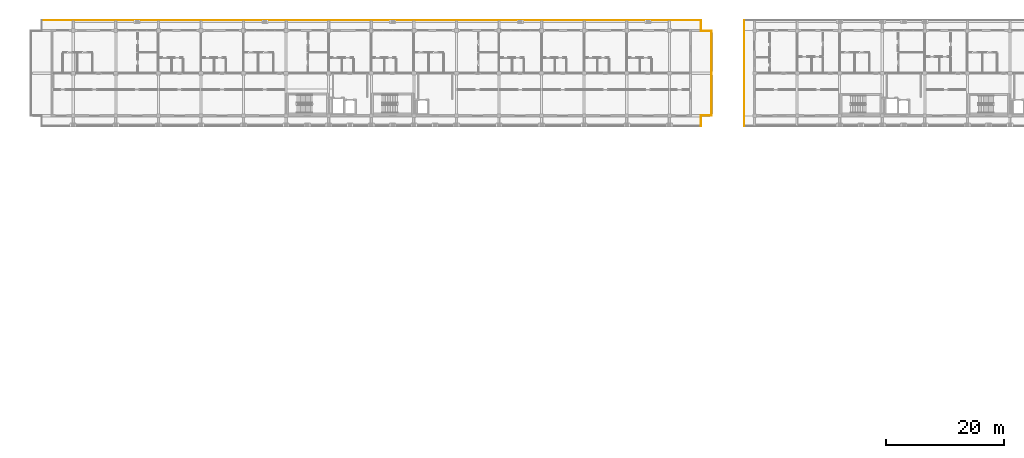
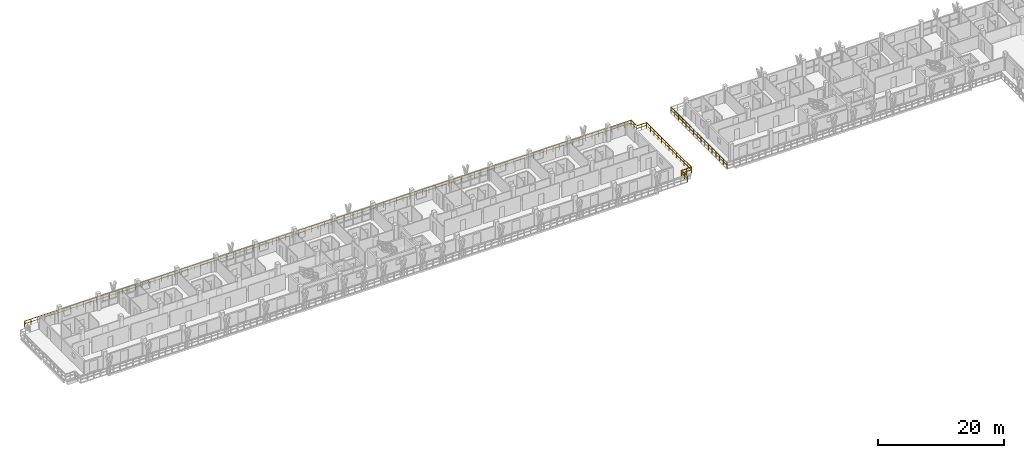
# One storey, part 68 of 75: 7 railings.
"""IFC4 building model written with IfcOpenShell, lengths in metres."""

from ifc_helpers import new_model, si_unit, direction, frame, origin, origin_2d, place, context, subcontext, project, spatial, rectangle, extrude, material, type_object, element, save


model = new_model("IFC4")

# Units and contexts
model_context = context("Model", 3, precision=1e-05, world=origin(), true_north=direction((0.0, 1.0)))
body_context = subcontext(model_context, "Body", "Model", "MODEL_VIEW")
ifc_project = project(units=[si_unit("LENGTHUNIT", "METRE"), si_unit("AREAUNIT", "SQUARE_METRE"), si_unit("VOLUMEUNIT", "CUBIC_METRE"), si_unit("PLANEANGLEUNIT", "RADIAN"), si_unit("MASSUNIT", "GRAM", prefix="KILO")], contexts=[model_context])

# Site, building, storey
site_placement = place(None, origin())
site = spatial("IfcSite", under=ifc_project, at=site_placement, CompositionType="ELEMENT")
building_placement = place(site_placement, origin())
building = spatial("IfcBuilding", under=site, at=building_placement, Name="Suanplinth Sawtooth Commons", CompositionType="ELEMENT")
storey_placement = place(building_placement, frame((0.0, 0.0, 18.60009765625)))
storey = spatial("IfcBuildingStorey", under=building, at=storey_placement, Name="L05", CompositionType="ELEMENT", Elevation=18.60009765625)

# Railings
ifc_material = material(Name="Powder-coated galvanized steel", Category="steel")
railing_type = type_object("IfcRailingType", Name="GR-01", PredefinedType="BALUSTRADE", material=ifc_material)
railing_1_placement = place(storey_placement, frame((1.860107421875, 124.139892578125, 0.0)))
element("IfcRailing", 1, at=railing_1_placement, inside=storey, type_object=railing_type, Name="L05 Block A Perimeter Balustrade 5", PredefinedType="BALUSTRADE", context=body_context, shape_type="SweptSolid", body=[
    extrude(rectangle(XDim=0.048095703125, YDim=0.048095703125, at=origin_2d()), frame((0.0, 0.0, 1.09619140625), z_axis=(1.0, 0.0, 0.0), x_axis=(0.0, 1.0, 0.0)), (0.0, 0.0, 1.0), 111.47998046875),
    extrude(rectangle(XDim=0.03369140625, YDim=0.03369140625, at=origin_2d()), frame((0.0, 0.0, 0.56005859375), z_axis=(1.0, 0.0, 0.0), x_axis=(0.0, 1.0, 0.0)), (0.0, 0.0, 1.0), 111.47998046875),
    extrude(rectangle(XDim=0.0419921875, YDim=0.0419921875, at=origin_2d()), origin(), (0.0, 0.0, 1.0), 1.072021484375),
    extrude(rectangle(XDim=0.0419921875, YDim=0.0419921875, at=origin_2d()), frame((1.19873046875, 0.0, 0.0)), (0.0, 0.0, 1.0), 1.072021484375),
    extrude(rectangle(XDim=0.0419921875, YDim=0.0419921875, at=origin_2d()), frame((2.3974609375, 0.0, 0.0)), (0.0, 0.0, 1.0), 1.072021484375),
    extrude(rectangle(XDim=0.0419921875, YDim=0.0419921875, at=origin_2d()), frame((3.59619140625, 0.0, 0.0)), (0.0, 0.0, 1.0), 1.072021484375),
    extrude(rectangle(XDim=0.0419921875, YDim=0.0419921875, at=origin_2d()), frame((4.794921875, 0.0, 0.0)), (0.0, 0.0, 1.0), 1.072021484375),
    extrude(rectangle(XDim=0.0419921875, YDim=0.0419921875, at=origin_2d()), frame((5.99365234375, 0.0, 0.0)), (0.0, 0.0, 1.0), 1.072021484375),
    extrude(rectangle(XDim=0.0419921875, YDim=0.0419921875, at=origin_2d()), frame((7.192138671875, 0.0, 0.0)), (0.0, 0.0, 1.0), 1.072021484375),
    extrude(rectangle(XDim=0.0419921875, YDim=0.0419921875, at=origin_2d()), frame((8.390869140625, 0.0, 0.0)), (0.0, 0.0, 1.0), 1.072021484375),
    extrude(rectangle(XDim=0.0419921875, YDim=0.0419921875, at=origin_2d()), frame((9.589599609375, 0.0, 0.0)), (0.0, 0.0, 1.0), 1.072021484375),
    extrude(rectangle(XDim=0.0419921875, YDim=0.0419921875, at=origin_2d()), frame((10.788330078125, 0.0, 0.0)), (0.0, 0.0, 1.0), 1.072021484375),
    extrude(rectangle(XDim=0.0419921875, YDim=0.0419921875, at=origin_2d()), frame((11.987060546875, 0.0, 0.0)), (0.0, 0.0, 1.0), 1.072021484375),
    extrude(rectangle(XDim=0.0419921875, YDim=0.0419921875, at=origin_2d()), frame((13.185791015625, 0.0, 0.0)), (0.0, 0.0, 1.0), 1.072021484375),
    extrude(rectangle(XDim=0.0419921875, YDim=0.0419921875, at=origin_2d()), frame((14.384521484375, 0.0, 0.0)), (0.0, 0.0, 1.0), 1.072021484375),
    extrude(rectangle(XDim=0.0419921875, YDim=0.0419921875, at=origin_2d()), frame((15.583251953125, 0.0, 0.0)), (0.0, 0.0, 1.0), 1.072021484375),
    extrude(rectangle(XDim=0.0419921875, YDim=0.0419921875, at=origin_2d()), frame((16.781982421875, 0.0, 0.0)), (0.0, 0.0, 1.0), 1.072021484375),
    extrude(rectangle(XDim=0.0419921875, YDim=0.0419921875, at=origin_2d()), frame((17.980712890625, 0.0, 0.0)), (0.0, 0.0, 1.0), 1.072021484375),
    extrude(rectangle(XDim=0.0419921875, YDim=0.0419921875, at=origin_2d()), frame((19.179443359375, 0.0, 0.0)), (0.0, 0.0, 1.0), 1.072021484375),
    extrude(rectangle(XDim=0.0419921875, YDim=0.0419921875, at=origin_2d()), frame((20.378173828125, 0.0, 0.0)), (0.0, 0.0, 1.0), 1.072021484375),
    extrude(rectangle(XDim=0.0419921875, YDim=0.0419921875, at=origin_2d()), frame((21.57666015625, 0.0, 0.0)), (0.0, 0.0, 1.0), 1.072021484375),
    extrude(rectangle(XDim=0.0419921875, YDim=0.0419921875, at=origin_2d()), frame((22.775390625, 0.0, 0.0)), (0.0, 0.0, 1.0), 1.072021484375),
    extrude(rectangle(XDim=0.0419921875, YDim=0.0419921875, at=origin_2d()), frame((23.97412109375, 0.0, 0.0)), (0.0, 0.0, 1.0), 1.072021484375),
    extrude(rectangle(XDim=0.0419921875, YDim=0.0419921875, at=origin_2d()), frame((25.1728515625, 0.0, 0.0)), (0.0, 0.0, 1.0), 1.072021484375),
    extrude(rectangle(XDim=0.0419921875, YDim=0.0419921875, at=origin_2d()), frame((26.37158203125, 0.0, 0.0)), (0.0, 0.0, 1.0), 1.072021484375),
    extrude(rectangle(XDim=0.0419921875, YDim=0.0419921875, at=origin_2d()), frame((27.5703125, 0.0, 0.0)), (0.0, 0.0, 1.0), 1.072021484375),
    extrude(rectangle(XDim=0.0419921875, YDim=0.0419921875, at=origin_2d()), frame((28.76904296875, 0.0, 0.0)), (0.0, 0.0, 1.0), 1.072021484375),
    extrude(rectangle(XDim=0.0419921875, YDim=0.0419921875, at=origin_2d()), frame((29.9677734375, 0.0, 0.0)), (0.0, 0.0, 1.0), 1.072021484375),
    extrude(rectangle(XDim=0.0419921875, YDim=0.0419921875, at=origin_2d()), frame((31.16650390625, 0.0, 0.0)), (0.0, 0.0, 1.0), 1.072021484375),
    extrude(rectangle(XDim=0.0419921875, YDim=0.0419921875, at=origin_2d()), frame((32.365234375, 0.0, 0.0)), (0.0, 0.0, 1.0), 1.072021484375),
    extrude(rectangle(XDim=0.0419921875, YDim=0.0419921875, at=origin_2d()), frame((33.56396484375, 0.0, 0.0)), (0.0, 0.0, 1.0), 1.072021484375),
    extrude(rectangle(XDim=0.0419921875, YDim=0.0419921875, at=origin_2d()), frame((34.7626953125, 0.0, 0.0)), (0.0, 0.0, 1.0), 1.072021484375),
    extrude(rectangle(XDim=0.0419921875, YDim=0.0419921875, at=origin_2d()), frame((35.961181640625, 0.0, 0.0)), (0.0, 0.0, 1.0), 1.072021484375),
    extrude(rectangle(XDim=0.0419921875, YDim=0.0419921875, at=origin_2d()), frame((37.159912109375, 0.0, 0.0)), (0.0, 0.0, 1.0), 1.072021484375),
    extrude(rectangle(XDim=0.0419921875, YDim=0.0419921875, at=origin_2d()), frame((38.358642578125, 0.0, 0.0)), (0.0, 0.0, 1.0), 1.072021484375),
    extrude(rectangle(XDim=0.0419921875, YDim=0.0419921875, at=origin_2d()), frame((39.557373046875, 0.0, 0.0)), (0.0, 0.0, 1.0), 1.072021484375),
    extrude(rectangle(XDim=0.0419921875, YDim=0.0419921875, at=origin_2d()), frame((40.756103515625, 0.0, 0.0)), (0.0, 0.0, 1.0), 1.072021484375),
    extrude(rectangle(XDim=0.0419921875, YDim=0.0419921875, at=origin_2d()), frame((41.954833984375, 0.0, 0.0)), (0.0, 0.0, 1.0), 1.072021484375),
    extrude(rectangle(XDim=0.0419921875, YDim=0.0419921875, at=origin_2d()), frame((43.153564453125, 0.0, 0.0)), (0.0, 0.0, 1.0), 1.072021484375),
    extrude(rectangle(XDim=0.0419921875, YDim=0.0419921875, at=origin_2d()), frame((44.352294921875, 0.0, 0.0)), (0.0, 0.0, 1.0), 1.072021484375),
    extrude(rectangle(XDim=0.0419921875, YDim=0.0419921875, at=origin_2d()), frame((45.551025390625, 0.0, 0.0)), (0.0, 0.0, 1.0), 1.072021484375),
    extrude(rectangle(XDim=0.0419921875, YDim=0.0419921875, at=origin_2d()), frame((46.749755859375, 0.0, 0.0)), (0.0, 0.0, 1.0), 1.072021484375),
    extrude(rectangle(XDim=0.0419921875, YDim=0.0419921875, at=origin_2d()), frame((47.948486328125, 0.0, 0.0)), (0.0, 0.0, 1.0), 1.072021484375),
    extrude(rectangle(XDim=0.0419921875, YDim=0.0419921875, at=origin_2d()), frame((49.14697265625, 0.0, 0.0)), (0.0, 0.0, 1.0), 1.072021484375),
    extrude(rectangle(XDim=0.0419921875, YDim=0.0419921875, at=origin_2d()), frame((50.345703125, 0.0, 0.0)), (0.0, 0.0, 1.0), 1.072021484375),
    extrude(rectangle(XDim=0.0419921875, YDim=0.0419921875, at=origin_2d()), frame((51.54443359375, 0.0, 0.0)), (0.0, 0.0, 1.0), 1.072021484375),
    extrude(rectangle(XDim=0.0419921875, YDim=0.0419921875, at=origin_2d()), frame((52.7431640625, 0.0, 0.0)), (0.0, 0.0, 1.0), 1.072021484375),
    extrude(rectangle(XDim=0.0419921875, YDim=0.0419921875, at=origin_2d()), frame((53.94189453125, 0.0, 0.0)), (0.0, 0.0, 1.0), 1.072021484375),
    extrude(rectangle(XDim=0.0419921875, YDim=0.0419921875, at=origin_2d()), frame((55.140625, 0.0, 0.0)), (0.0, 0.0, 1.0), 1.072021484375),
    extrude(rectangle(XDim=0.0419921875, YDim=0.0419921875, at=origin_2d()), frame((56.33935546875, 0.0, 0.0)), (0.0, 0.0, 1.0), 1.072021484375),
    extrude(rectangle(XDim=0.0419921875, YDim=0.0419921875, at=origin_2d()), frame((57.5380859375, 0.0, 0.0)), (0.0, 0.0, 1.0), 1.072021484375),
    extrude(rectangle(XDim=0.0419921875, YDim=0.0419921875, at=origin_2d()), frame((58.73681640625, 0.0, 0.0)), (0.0, 0.0, 1.0), 1.072021484375),
    extrude(rectangle(XDim=0.0419921875, YDim=0.0419921875, at=origin_2d()), frame((59.935546875, 0.0, 0.0)), (0.0, 0.0, 1.0), 1.072021484375),
    extrude(rectangle(XDim=0.0419921875, YDim=0.0419921875, at=origin_2d()), frame((61.13427734375, 0.0, 0.0)), (0.0, 0.0, 1.0), 1.072021484375),
    extrude(rectangle(XDim=0.0419921875, YDim=0.0419921875, at=origin_2d()), frame((62.3330078125, 0.0, 0.0)), (0.0, 0.0, 1.0), 1.072021484375),
    extrude(rectangle(XDim=0.0419921875, YDim=0.0419921875, at=origin_2d()), frame((63.531494140625, 0.0, 0.0)), (0.0, 0.0, 1.0), 1.072021484375),
    extrude(rectangle(XDim=0.0419921875, YDim=0.0419921875, at=origin_2d()), frame((64.730224609375, 0.0, 0.0)), (0.0, 0.0, 1.0), 1.072021484375),
    extrude(rectangle(XDim=0.0419921875, YDim=0.0419921875, at=origin_2d()), frame((65.928955078125, 0.0, 0.0)), (0.0, 0.0, 1.0), 1.072021484375),
    extrude(rectangle(XDim=0.0419921875, YDim=0.0419921875, at=origin_2d()), frame((67.127685546875, 0.0, 0.0)), (0.0, 0.0, 1.0), 1.072021484375),
    extrude(rectangle(XDim=0.0419921875, YDim=0.0419921875, at=origin_2d()), frame((68.326416015625, 0.0, 0.0)), (0.0, 0.0, 1.0), 1.072021484375),
    extrude(rectangle(XDim=0.0419921875, YDim=0.0419921875, at=origin_2d()), frame((69.525146484375, 0.0, 0.0)), (0.0, 0.0, 1.0), 1.072021484375),
    extrude(rectangle(XDim=0.0419921875, YDim=0.0419921875, at=origin_2d()), frame((70.723876953125, 0.0, 0.0)), (0.0, 0.0, 1.0), 1.072021484375),
    extrude(rectangle(XDim=0.0419921875, YDim=0.0419921875, at=origin_2d()), frame((71.922607421875, 0.0, 0.0)), (0.0, 0.0, 1.0), 1.072021484375),
    extrude(rectangle(XDim=0.0419921875, YDim=0.0419921875, at=origin_2d()), frame((73.121337890625, 0.0, 0.0)), (0.0, 0.0, 1.0), 1.072021484375),
    extrude(rectangle(XDim=0.0419921875, YDim=0.0419921875, at=origin_2d()), frame((74.320068359375, 0.0, 0.0)), (0.0, 0.0, 1.0), 1.072021484375),
    extrude(rectangle(XDim=0.0419921875, YDim=0.0419921875, at=origin_2d()), frame((75.518798828125, 0.0, 0.0)), (0.0, 0.0, 1.0), 1.072021484375),
    extrude(rectangle(XDim=0.0419921875, YDim=0.0419921875, at=origin_2d()), frame((76.71728515625, 0.0, 0.0)), (0.0, 0.0, 1.0), 1.072021484375),
    extrude(rectangle(XDim=0.0419921875, YDim=0.0419921875, at=origin_2d()), frame((77.916015625, 0.0, 0.0)), (0.0, 0.0, 1.0), 1.072021484375),
    extrude(rectangle(XDim=0.0419921875, YDim=0.0419921875, at=origin_2d()), frame((79.11474609375, 0.0, 0.0)), (0.0, 0.0, 1.0), 1.072021484375),
    extrude(rectangle(XDim=0.0419921875, YDim=0.0419921875, at=origin_2d()), frame((80.3134765625, 0.0, 0.0)), (0.0, 0.0, 1.0), 1.072021484375),
    extrude(rectangle(XDim=0.0419921875, YDim=0.0419921875, at=origin_2d()), frame((81.51220703125, 0.0, 0.0)), (0.0, 0.0, 1.0), 1.072021484375),
    extrude(rectangle(XDim=0.0419921875, YDim=0.0419921875, at=origin_2d()), frame((82.7109375, 0.0, 0.0)), (0.0, 0.0, 1.0), 1.072021484375),
    extrude(rectangle(XDim=0.0419921875, YDim=0.0419921875, at=origin_2d()), frame((83.90966796875, 0.0, 0.0)), (0.0, 0.0, 1.0), 1.072021484375),
    extrude(rectangle(XDim=0.0419921875, YDim=0.0419921875, at=origin_2d()), frame((85.1083984375, 0.0, 0.0)), (0.0, 0.0, 1.0), 1.072021484375),
    extrude(rectangle(XDim=0.0419921875, YDim=0.0419921875, at=origin_2d()), frame((86.30712890625, 0.0, 0.0)), (0.0, 0.0, 1.0), 1.072021484375),
    extrude(rectangle(XDim=0.0419921875, YDim=0.0419921875, at=origin_2d()), frame((87.505859375, 0.0, 0.0)), (0.0, 0.0, 1.0), 1.072021484375),
    extrude(rectangle(XDim=0.0419921875, YDim=0.0419921875, at=origin_2d()), frame((88.70458984375, 0.0, 0.0)), (0.0, 0.0, 1.0), 1.072021484375),
    extrude(rectangle(XDim=0.0419921875, YDim=0.0419921875, at=origin_2d()), frame((89.9033203125, 0.0, 0.0)), (0.0, 0.0, 1.0), 1.072021484375),
    extrude(rectangle(XDim=0.0419921875, YDim=0.0419921875, at=origin_2d()), frame((91.101806640625, 0.0, 0.0)), (0.0, 0.0, 1.0), 1.072021484375),
    extrude(rectangle(XDim=0.0419921875, YDim=0.0419921875, at=origin_2d()), frame((92.300537109375, 0.0, 0.0)), (0.0, 0.0, 1.0), 1.072021484375),
    extrude(rectangle(XDim=0.0419921875, YDim=0.0419921875, at=origin_2d()), frame((93.499267578125, 0.0, 0.0)), (0.0, 0.0, 1.0), 1.072021484375),
    extrude(rectangle(XDim=0.0419921875, YDim=0.0419921875, at=origin_2d()), frame((94.697998046875, 0.0, 0.0)), (0.0, 0.0, 1.0), 1.072021484375),
    extrude(rectangle(XDim=0.0419921875, YDim=0.0419921875, at=origin_2d()), frame((95.896728515625, 0.0, 0.0)), (0.0, 0.0, 1.0), 1.072021484375),
    extrude(rectangle(XDim=0.0419921875, YDim=0.0419921875, at=origin_2d()), frame((97.095458984375, 0.0, 0.0)), (0.0, 0.0, 1.0), 1.072021484375),
    extrude(rectangle(XDim=0.0419921875, YDim=0.0419921875, at=origin_2d()), frame((98.294189453125, 0.0, 0.0)), (0.0, 0.0, 1.0), 1.072021484375),
    extrude(rectangle(XDim=0.0419921875, YDim=0.0419921875, at=origin_2d()), frame((99.492919921875, 0.0, 0.0)), (0.0, 0.0, 1.0), 1.072021484375),
    extrude(rectangle(XDim=0.0419921875, YDim=0.0419921875, at=origin_2d()), frame((100.691650390625, 0.0, 0.0)), (0.0, 0.0, 1.0), 1.072021484375),
    extrude(rectangle(XDim=0.0419921875, YDim=0.0419921875, at=origin_2d()), frame((101.890380859375, 0.0, 0.0)), (0.0, 0.0, 1.0), 1.072021484375),
    extrude(rectangle(XDim=0.0419921875, YDim=0.0419921875, at=origin_2d()), frame((103.089111328125, 0.0, 0.0)), (0.0, 0.0, 1.0), 1.072021484375),
    extrude(rectangle(XDim=0.0419921875, YDim=0.0419921875, at=origin_2d()), frame((104.287841796875, 0.0, 0.0)), (0.0, 0.0, 1.0), 1.072021484375),
    extrude(rectangle(XDim=0.0419921875, YDim=0.0419921875, at=origin_2d()), frame((105.486328125, 0.0, 0.0)), (0.0, 0.0, 1.0), 1.072021484375),
    extrude(rectangle(XDim=0.0419921875, YDim=0.0419921875, at=origin_2d()), frame((106.68505859375, 0.0, 0.0)), (0.0, 0.0, 1.0), 1.072021484375),
    extrude(rectangle(XDim=0.0419921875, YDim=0.0419921875, at=origin_2d()), frame((107.8837890625, 0.0, 0.0)), (0.0, 0.0, 1.0), 1.072021484375),
    extrude(rectangle(XDim=0.0419921875, YDim=0.0419921875, at=origin_2d()), frame((109.08251953125, 0.0, 0.0)), (0.0, 0.0, 1.0), 1.072021484375),
    extrude(rectangle(XDim=0.0419921875, YDim=0.0419921875, at=origin_2d()), frame((110.28125, 0.0, 0.0)), (0.0, 0.0, 1.0), 1.072021484375),
    extrude(rectangle(XDim=0.0419921875, YDim=0.0419921875, at=origin_2d()), frame((111.47998046875, 0.0, 0.0)), (0.0, 0.0, 1.0), 1.072021484375),
])
railing_2_placement = place(storey_placement, frame((113.340087890625, 124.139892578125, 0.0)))
element("IfcRailing", 2, at=railing_2_placement, inside=storey, type_object=railing_type, Name="L05 Block A Perimeter Balustrade 6", PredefinedType="BALUSTRADE", context=body_context, shape_type="SweptSolid", body=[
    extrude(rectangle(XDim=0.048095703125, YDim=0.048095703125, at=origin_2d()), frame((0.0, 0.0, 1.09619140625), z_axis=(0.0, -1.0, 0.0), x_axis=(1.0, 0.0, 0.0)), (0.0, 0.0, 1.0), 1.7998046875),
    extrude(rectangle(XDim=0.03369140625, YDim=0.03369140625, at=origin_2d()), frame((0.0, 0.0, 0.56005859375), z_axis=(0.0, -1.0, 0.0), x_axis=(1.0, 0.0, 0.0)), (0.0, 0.0, 1.0), 1.7998046875),
    extrude(rectangle(XDim=0.0419921875, YDim=0.0419921875, at=origin_2d()), origin(), (0.0, 0.0, 1.0), 1.072021484375),
    extrude(rectangle(XDim=0.0419921875, YDim=0.0419921875, at=origin_2d()), frame((0.0, -0.89990234375, 0.0)), (0.0, 0.0, 1.0), 1.072021484375),
    extrude(rectangle(XDim=0.0419921875, YDim=0.0419921875, at=origin_2d()), frame((0.0, -1.7998046875, 0.0)), (0.0, 0.0, 1.0), 1.072021484375),
])
railing_3_placement = place(storey_placement, frame((113.340087890625, 122.340087890625, 0.0)))
element("IfcRailing", 3, at=railing_3_placement, inside=storey, type_object=railing_type, Name="L05 Block A Perimeter Balustrade 7", PredefinedType="BALUSTRADE", context=body_context, shape_type="SweptSolid", body=[
    extrude(rectangle(XDim=0.048095703125, YDim=0.048095703125, at=origin_2d()), frame((0.0, 0.0, 1.09619140625), z_axis=(1.0, 0.0, 0.0), x_axis=(0.0, 1.0, 0.0)), (0.0, 0.0, 1.0), 1.7998046875),
    extrude(rectangle(XDim=0.03369140625, YDim=0.03369140625, at=origin_2d()), frame((0.0, 0.0, 0.56005859375), z_axis=(1.0, 0.0, 0.0), x_axis=(0.0, 1.0, 0.0)), (0.0, 0.0, 1.0), 1.7998046875),
    extrude(rectangle(XDim=0.0419921875, YDim=0.0419921875, at=origin_2d()), origin(), (0.0, 0.0, 1.0), 1.072021484375),
    extrude(rectangle(XDim=0.0419921875, YDim=0.0419921875, at=origin_2d()), frame((0.89990234375, 0.0, 0.0)), (0.0, 0.0, 1.0), 1.072021484375),
    extrude(rectangle(XDim=0.0419921875, YDim=0.0419921875, at=origin_2d()), frame((1.7998046875, 0.0, 0.0)), (0.0, 0.0, 1.0), 1.072021484375),
])
railing_4_placement = place(storey_placement, frame((115.139892578125, 122.340087890625, 0.0)))
element("IfcRailing", 4, at=railing_4_placement, inside=storey, type_object=railing_type, Name="L05 Block A Perimeter Balustrade 8", PredefinedType="BALUSTRADE", context=body_context, shape_type="SweptSolid", body=[
    extrude(rectangle(XDim=0.048095703125, YDim=0.048095703125, at=origin_2d()), frame((0.0, 0.0, 1.09619140625), z_axis=(0.0, -1.0, 0.0), x_axis=(1.0, 0.0, 0.0)), (0.0, 0.0, 1.0), 14.280029296875),
    extrude(rectangle(XDim=0.03369140625, YDim=0.03369140625, at=origin_2d()), frame((0.0, 0.0, 0.56005859375), z_axis=(0.0, -1.0, 0.0), x_axis=(1.0, 0.0, 0.0)), (0.0, 0.0, 1.0), 14.280029296875),
    extrude(rectangle(XDim=0.0419921875, YDim=0.0419921875, at=origin_2d()), origin(), (0.0, 0.0, 1.0), 1.072021484375),
    extrude(rectangle(XDim=0.0419921875, YDim=0.0419921875, at=origin_2d()), frame((0.0, -1.18994140625, 0.0)), (0.0, 0.0, 1.0), 1.072021484375),
    extrude(rectangle(XDim=0.0419921875, YDim=0.0419921875, at=origin_2d()), frame((0.0, -2.3798828125, 0.0)), (0.0, 0.0, 1.0), 1.072021484375),
    extrude(rectangle(XDim=0.0419921875, YDim=0.0419921875, at=origin_2d()), frame((0.0, -3.570068359375, 0.0)), (0.0, 0.0, 1.0), 1.072021484375),
    extrude(rectangle(XDim=0.0419921875, YDim=0.0419921875, at=origin_2d()), frame((0.0, -4.760009765625, 0.0)), (0.0, 0.0, 1.0), 1.072021484375),
    extrude(rectangle(XDim=0.0419921875, YDim=0.0419921875, at=origin_2d()), frame((0.0, -5.949951171875, 0.0)), (0.0, 0.0, 1.0), 1.072021484375),
    extrude(rectangle(XDim=0.0419921875, YDim=0.0419921875, at=origin_2d()), frame((0.0, -7.14013671875, 0.0)), (0.0, 0.0, 1.0), 1.072021484375),
    extrude(rectangle(XDim=0.0419921875, YDim=0.0419921875, at=origin_2d()), frame((0.0, -8.330078125, 0.0)), (0.0, 0.0, 1.0), 1.072021484375),
    extrude(rectangle(XDim=0.0419921875, YDim=0.0419921875, at=origin_2d()), frame((0.0, -9.52001953125, 0.0)), (0.0, 0.0, 1.0), 1.072021484375),
    extrude(rectangle(XDim=0.0419921875, YDim=0.0419921875, at=origin_2d()), frame((0.0, -10.7099609375, 0.0)), (0.0, 0.0, 1.0), 1.072021484375),
    extrude(rectangle(XDim=0.0419921875, YDim=0.0419921875, at=origin_2d()), frame((0.0, -11.89990234375, 0.0)), (0.0, 0.0, 1.0), 1.072021484375),
    extrude(rectangle(XDim=0.0419921875, YDim=0.0419921875, at=origin_2d()), frame((0.0, -13.090087890625, 0.0)), (0.0, 0.0, 1.0), 1.072021484375),
    extrude(rectangle(XDim=0.0419921875, YDim=0.0419921875, at=origin_2d()), frame((0.0, -14.280029296875, 0.0)), (0.0, 0.0, 1.0), 1.072021484375),
])
railing_5_placement = place(storey_placement, frame((115.139892578125, 108.06005859375, 0.0)))
element("IfcRailing", 5, at=railing_5_placement, inside=storey, type_object=railing_type, Name="L05 Block A Perimeter Balustrade 9", PredefinedType="BALUSTRADE", context=body_context, shape_type="SweptSolid", body=[
    extrude(rectangle(XDim=0.048095703125, YDim=0.048095703125, at=origin_2d()), frame((0.0, 0.0, 1.09619140625), z_axis=(-1.0, 0.0, 0.0), x_axis=(0.0, -1.0, 0.0)), (0.0, 0.0, 1.0), 1.7998046875),
    extrude(rectangle(XDim=0.03369140625, YDim=0.03369140625, at=origin_2d()), frame((0.0, 0.0, 0.56005859375), z_axis=(-1.0, 0.0, 0.0), x_axis=(0.0, -1.0, 0.0)), (0.0, 0.0, 1.0), 1.7998046875),
    extrude(rectangle(XDim=0.0419921875, YDim=0.0419921875, at=origin_2d()), origin(), (0.0, 0.0, 1.0), 1.072021484375),
    extrude(rectangle(XDim=0.0419921875, YDim=0.0419921875, at=origin_2d()), frame((-0.89990234375, 0.0, 0.0)), (0.0, 0.0, 1.0), 1.072021484375),
    extrude(rectangle(XDim=0.0419921875, YDim=0.0419921875, at=origin_2d()), frame((-1.7998046875, 0.0, 0.0)), (0.0, 0.0, 1.0), 1.072021484375),
])
railing_6_placement = place(storey_placement, frame((113.340087890625, 108.06005859375, 0.0)))
element("IfcRailing", 6, at=railing_6_placement, inside=storey, type_object=railing_type, Name="L05 Block A Perimeter Balustrade 10", PredefinedType="BALUSTRADE", context=body_context, shape_type="SweptSolid", body=[
    extrude(rectangle(XDim=0.048095703125, YDim=0.048095703125, at=origin_2d()), frame((0.0, 0.0, 1.09619140625), z_axis=(0.0, -1.0, 0.0), x_axis=(1.0, 0.0, 0.0)), (0.0, 0.0, 1.0), 1.800048828125),
    extrude(rectangle(XDim=0.03369140625, YDim=0.03369140625, at=origin_2d()), frame((0.0, 0.0, 0.56005859375), z_axis=(0.0, -1.0, 0.0), x_axis=(1.0, 0.0, 0.0)), (0.0, 0.0, 1.0), 1.800048828125),
    extrude(rectangle(XDim=0.0419921875, YDim=0.0419921875, at=origin_2d()), origin(), (0.0, 0.0, 1.0), 1.072021484375),
    extrude(rectangle(XDim=0.0419921875, YDim=0.0419921875, at=origin_2d()), frame((0.0, -0.89990234375, 0.0)), (0.0, 0.0, 1.0), 1.072021484375),
    extrude(rectangle(XDim=0.0419921875, YDim=0.0419921875, at=origin_2d()), frame((0.0, -1.800048828125, 0.0)), (0.0, 0.0, 1.0), 1.072021484375),
])
railing_7_placement = place(storey_placement, frame((120.659912109375, 106.260009765625, 0.0)))
element("IfcRailing", 7, at=railing_7_placement, inside=storey, type_object=railing_type, Name="L05 Block B Perimeter Balustrade 3", PredefinedType="BALUSTRADE", context=body_context, shape_type="SweptSolid", body=[
    extrude(rectangle(XDim=0.048095703125, YDim=0.048095703125, at=origin_2d()), frame((0.0, 0.0, 1.09619140625), z_axis=(0.0, 1.0, 0.0), x_axis=(-1.0, 0.0, 0.0)), (0.0, 0.0, 1.0), 17.8798828125),
    extrude(rectangle(XDim=0.03369140625, YDim=0.03369140625, at=origin_2d()), frame((0.0, 0.0, 0.56005859375), z_axis=(0.0, 1.0, 0.0), x_axis=(-1.0, 0.0, 0.0)), (0.0, 0.0, 1.0), 17.8798828125),
    extrude(rectangle(XDim=0.0419921875, YDim=0.0419921875, at=origin_2d()), origin(), (0.0, 0.0, 1.0), 1.072021484375),
    extrude(rectangle(XDim=0.0419921875, YDim=0.0419921875, at=origin_2d()), frame((0.0, 1.19189453125, 0.0)), (0.0, 0.0, 1.0), 1.072021484375),
    extrude(rectangle(XDim=0.0419921875, YDim=0.0419921875, at=origin_2d()), frame((0.0, 2.384033203125, 0.0)), (0.0, 0.0, 1.0), 1.072021484375),
    extrude(rectangle(XDim=0.0419921875, YDim=0.0419921875, at=origin_2d()), frame((0.0, 3.575927734375, 0.0)), (0.0, 0.0, 1.0), 1.072021484375),
    extrude(rectangle(XDim=0.0419921875, YDim=0.0419921875, at=origin_2d()), frame((0.0, 4.76806640625, 0.0)), (0.0, 0.0, 1.0), 1.072021484375),
    extrude(rectangle(XDim=0.0419921875, YDim=0.0419921875, at=origin_2d()), frame((0.0, 5.9599609375, 0.0)), (0.0, 0.0, 1.0), 1.072021484375),
    extrude(rectangle(XDim=0.0419921875, YDim=0.0419921875, at=origin_2d()), frame((0.0, 7.15185546875, 0.0)), (0.0, 0.0, 1.0), 1.072021484375),
    extrude(rectangle(XDim=0.0419921875, YDim=0.0419921875, at=origin_2d()), frame((0.0, 8.343994140625, 0.0)), (0.0, 0.0, 1.0), 1.072021484375),
    extrude(rectangle(XDim=0.0419921875, YDim=0.0419921875, at=origin_2d()), frame((0.0, 9.535888671875, 0.0)), (0.0, 0.0, 1.0), 1.072021484375),
    extrude(rectangle(XDim=0.0419921875, YDim=0.0419921875, at=origin_2d()), frame((0.0, 10.72802734375, 0.0)), (0.0, 0.0, 1.0), 1.072021484375),
    extrude(rectangle(XDim=0.0419921875, YDim=0.0419921875, at=origin_2d()), frame((0.0, 11.919921875, 0.0)), (0.0, 0.0, 1.0), 1.072021484375),
    extrude(rectangle(XDim=0.0419921875, YDim=0.0419921875, at=origin_2d()), frame((0.0, 13.11181640625, 0.0)), (0.0, 0.0, 1.0), 1.072021484375),
    extrude(rectangle(XDim=0.0419921875, YDim=0.0419921875, at=origin_2d()), frame((0.0, 14.303955078125, 0.0)), (0.0, 0.0, 1.0), 1.072021484375),
    extrude(rectangle(XDim=0.0419921875, YDim=0.0419921875, at=origin_2d()), frame((0.0, 15.495849609375, 0.0)), (0.0, 0.0, 1.0), 1.072021484375),
    extrude(rectangle(XDim=0.0419921875, YDim=0.0419921875, at=origin_2d()), frame((0.0, 16.68798828125, 0.0)), (0.0, 0.0, 1.0), 1.072021484375),
    extrude(rectangle(XDim=0.0419921875, YDim=0.0419921875, at=origin_2d()), frame((0.0, 17.8798828125, 0.0)), (0.0, 0.0, 1.0), 1.072021484375),
])

save(model, "model.ifc")
